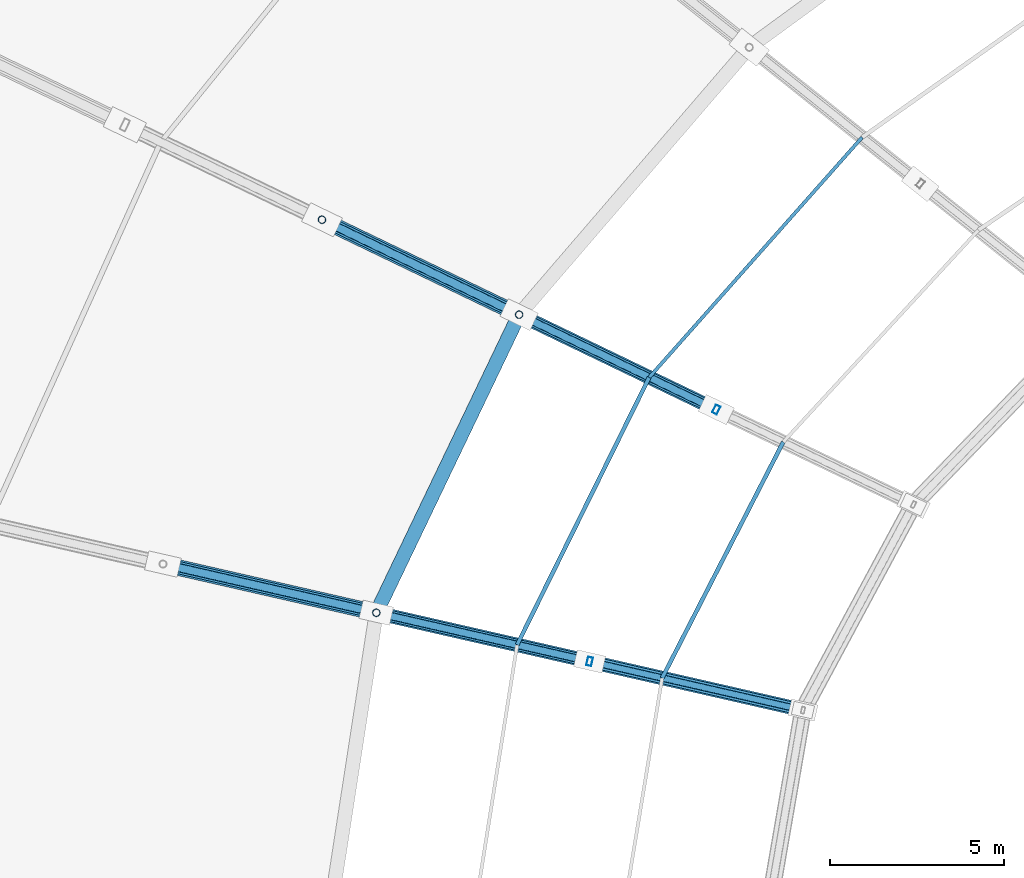
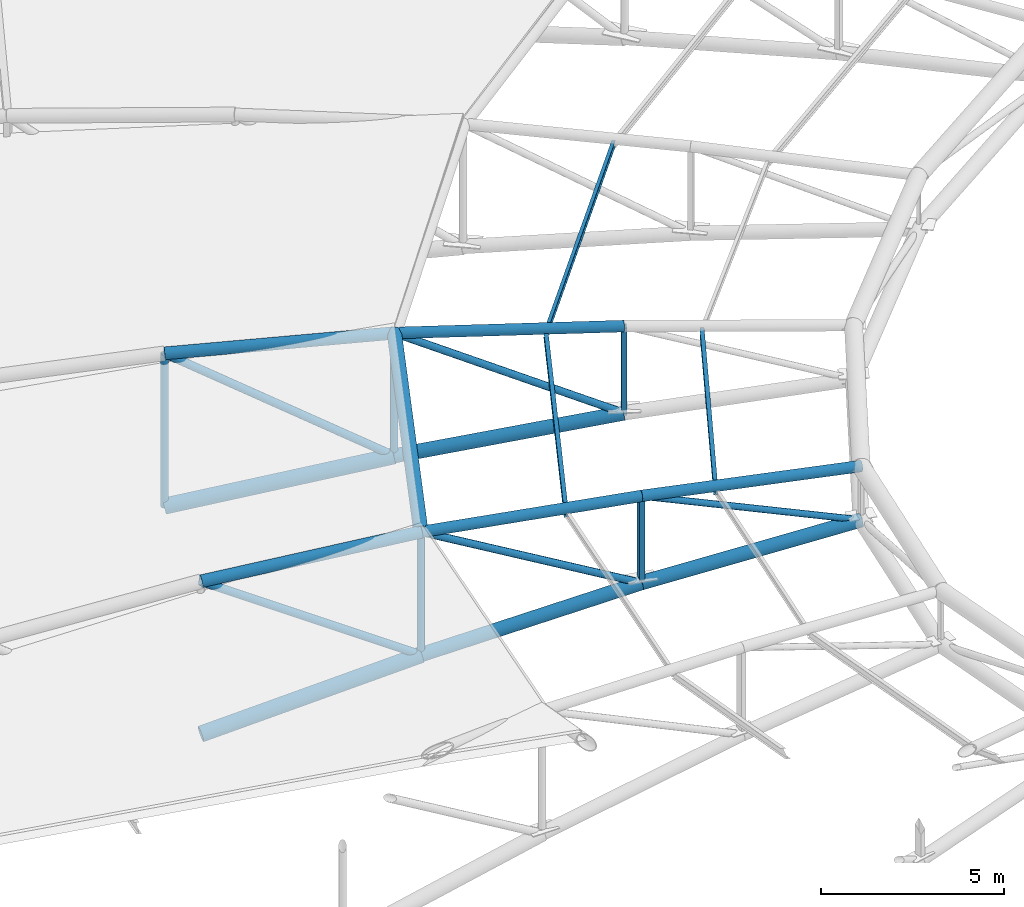
# One storey, part 35 of 108: 24 members.
"""IFC4 building model written with IfcOpenShell, lengths in metres."""

from ifc_helpers import new_model, si_unit, direction, frame, origin, origin_2d, place, context, subcontext, project, spatial, hollow_rectangle, hollow_circle, i_section, extrude, material, material_profile, profile_set, type_object, element, save


model = new_model("IFC4")

# Units and contexts
model_context = context("Model", 3, precision=1e-05, world=origin(), true_north=direction((0.0, 1.0)))
body_context = subcontext(model_context, "Body", "Model", "MODEL_VIEW")
ifc_project = project(units=[si_unit("LENGTHUNIT", "METRE"), si_unit("AREAUNIT", "SQUARE_METRE"), si_unit("VOLUMEUNIT", "CUBIC_METRE"), si_unit("PLANEANGLEUNIT", "RADIAN"), si_unit("MASSUNIT", "GRAM", prefix="KILO")], contexts=[model_context])

# Site, building, storey
site_placement = place(None, origin())
site = spatial("IfcSite", under=ifc_project, at=site_placement, CompositionType="ELEMENT")
building_placement = place(site_placement, origin())
building = spatial("IfcBuilding", under=site, at=building_placement, Name="Zevraka Park Crest Stadium", CompositionType="ELEMENT")
storey_placement = place(building_placement, frame((0.0, 0.0, 29.39990234375)))
storey = spatial("IfcBuildingStorey", under=building, at=storey_placement, Name="RF", CompositionType="ELEMENT", Elevation=29.39990234375)

# Members
ifc_material_1 = material(Name="Steel S355", Category="steel")
ifc_material_profile_1 = material_profile(ifc_material_1, i_section(OverallWidth=0.1201171875, OverallDepth=0.239990234375, WebThickness=0.006103515625, FlangeThickness=0.009765625, at=origin_2d()), Name="IPE 240")
ifc_profile_set_1 = profile_set([ifc_material_profile_1], Name="Steel S355")
member_type_1 = type_object("IfcMemberType", Name="PR01", PredefinedType="PURLIN", material=ifc_profile_set_1)
member_1_placement = place(storey_placement, frame((65.652099609375, 107.81201171875, 9.153076171875), z_axis=(-0.442797799381, -0.896621496989, 0.0), x_axis=(0.896621496989, -0.442797799381, 0.0)))
element("IfcMember", 1, at=member_1_placement, inside=storey, type_object=member_type_1, Name="Canopy Roof Purlin PR01 INNER-13-1", PredefinedType="PURLIN", context=body_context, shape_type="SweptSolid", body=[
    extrude(i_section(OverallWidth=0.1201171875, OverallDepth=0.239990234375, WebThickness=0.006103515625, FlangeThickness=0.009765625, at=origin_2d()), origin(), (0.0, 0.0, 1.0), 8.59130859375),
])
member_2_placement = place(storey_placement, frame((69.511962890625, 105.952880859375, 9.01708984375), z_axis=(-0.456571603889, -0.889686669858, 0.0), x_axis=(0.889686669858, -0.456571603889, 0.0)))
element("IfcMember", 2, at=member_2_placement, inside=storey, type_object=member_type_1, Name="Canopy Roof Purlin PR01 INNER-13-2", PredefinedType="PURLIN", context=body_context, shape_type="SweptSolid", body=[
    extrude(i_section(OverallWidth=0.1201171875, OverallDepth=0.239990234375, WebThickness=0.006103515625, FlangeThickness=0.009765625, at=origin_2d()), origin(), (0.0, 0.0, 1.0), 7.6396484375),
])
ifc_material_2 = material(Name="Steel S355", Category="steel")
ifc_material_profile_2 = material_profile(ifc_material_2, i_section(OverallWidth=0.10009765625, OverallDepth=0.199951171875, WebThickness=0.005615234375, FlangeThickness=0.008544921875, at=origin_2d()), Name="IPE 200")
ifc_profile_set_2 = profile_set([ifc_material_profile_2], Name="Steel S355")
member_type_2 = type_object("IfcMemberType", Name="PR03", PredefinedType="PURLIN", material=ifc_profile_set_2)
member_3_placement = place(storey_placement, frame((71.781005859375, 114.721923828125, 9.173095703125), z_axis=(-0.663562824721, -0.748120563578, 0.0), x_axis=(0.748120563578, -0.663562824721, 0.0)))
element("IfcMember", 3, at=member_3_placement, inside=storey, type_object=member_type_2, Name="Canopy Roof Purlin PR03 INNER-12-1", PredefinedType="PURLIN", context=body_context, shape_type="SweptSolid", body=[
    extrude(i_section(OverallWidth=0.10009765625, OverallDepth=0.199951171875, WebThickness=0.005615234375, FlangeThickness=0.008544921875, at=origin_2d()), origin(), (0.0, 0.0, 1.0), 9.236328125),
])
ifc_material_3 = material(Name="Steel S355", Category="steel")
ifc_material_profile_3 = material_profile(ifc_material_3, hollow_circle(Radius=0.228515625, WallThickness=0.02490234375, at=origin_2d()), Name="CHS 457.0x25")
ifc_profile_set_3 = profile_set([ifc_material_profile_3], Name="Steel S355")
member_type_3 = type_object("IfcMemberType", Name="TC02", PredefinedType="CHORD", material=ifc_profile_set_3)
for number, where, z_axis, x_axis, name in (
    (4, (56.22998046875, 112.34912109375, 3.9501953125), (0.880989175528, -0.424219270508, 0.209513921093), (0.433848244141, 0.900985960521, 0.0), "Roof Truss Bottom Chord TC02 T13-5"),
    (5, (51.652099609375, 102.43603515625, 3.9501953125), (0.953281562703, -0.217621179576, 0.209512014954), (0.222560675043, 0.974918840686, 0.0), "Roof Truss Bottom Chord TC02 T14-5"),
):
    element("IfcMember", number, at=place(storey_placement, frame(where, z_axis=z_axis, x_axis=x_axis)), inside=storey, type_object=member_type_3, Name=name, PredefinedType="CHORD", context=body_context, shape_type="SweptSolid", body=[
        extrude(hollow_circle(Radius=0.228515625, WallThickness=0.02490234375, at=origin_2d()), origin(), (0.0, 0.0, 1.0), 6.44287109375),
    ])
ifc_material_4 = material(Name="Steel S355", Category="steel")
ifc_material_profile_4 = material_profile(ifc_material_4, hollow_circle(Radius=0.203125, WallThickness=0.02001953125, at=origin_2d()), Name="CHS 406.4x20")
ifc_profile_set_4 = profile_set([ifc_material_profile_4], Name="Steel S355")
member_type_4 = type_object("IfcMemberType", Name="TC03", PredefinedType="CHORD", material=ifc_profile_set_4)
member_4_placement = place(storey_placement, frame((61.906005859375, 109.615966796875, 5.300048828125), z_axis=(0.887511721766, -0.427474569243, 0.172012895964), x_axis=(0.433942615061, 0.900940512373, 0.0)))
element("IfcMember", 6, at=member_4_placement, inside=storey, type_object=member_type_4, Name="Roof Truss Bottom Chord TC03 T13-6", PredefinedType="CHORD", context=body_context, shape_type="SweptSolid", body=[
    extrude(hollow_circle(Radius=0.203125, WallThickness=0.02001953125, at=origin_2d()), origin(), (0.0, 0.0, 1.0), 6.3955078125),
])
member_5_placement = place(storey_placement, frame((57.7939453125, 101.033935546875, 5.300048828125), z_axis=(0.960397219196, -0.219198697536, 0.172014860867), x_axis=(0.222515433667, 0.974929167571, 0.0)))
element("IfcMember", 7, at=member_5_placement, inside=storey, type_object=member_type_4, Name="Roof Truss Bottom Chord TC03 T14-6", PredefinedType="CHORD", context=body_context, shape_type="SweptSolid", body=[
    extrude(hollow_circle(Radius=0.203125, WallThickness=0.02001953125, at=origin_2d()), origin(), (0.0, 0.0, 1.0), 6.395263671875),
])
member_6_placement = place(storey_placement, frame((63.93603515625, 99.632080078125, 6.400146484375), z_axis=(0.967183906339, -0.22064111136, 0.12598726641), x_axis=(0.222413332215, 0.97495246533, 0.0)))
element("IfcMember", 8, at=member_6_placement, inside=storey, type_object=member_type_4, Name="Roof Truss Bottom Chord TC03 T14-7", PredefinedType="CHORD", context=body_context, shape_type="SweptSolid", body=[
    extrude(hollow_circle(Radius=0.203125, WallThickness=0.02001953125, at=origin_2d()), origin(), (0.0, 0.0, 1.0), 6.350341796875),
])
member_7_placement = place(storey_placement, frame((61.906005859375, 109.615966796875, 9.400146484375), z_axis=(-0.432106270743, -0.901822693651, 0.0), x_axis=(0.901822693651, -0.432106270743, 0.0)))
element("IfcMember", 9, at=member_7_placement, inside=storey, type_object=member_type_4, Name="Roof Canopy Arch Crown Ring Chord TC03 13", PredefinedType="CHORD", context=body_context, shape_type="SweptSolid", body=[
    extrude(hollow_circle(Radius=0.203125, WallThickness=0.02001953125, at=origin_2d()), origin(), (0.0, 0.0, 1.0), 9.516357421875),
])
ifc_material_5 = material(Name="Steel S355", Category="steel")
ifc_material_profile_5 = material_profile(ifc_material_5, hollow_circle(Radius=0.161865234375, WallThickness=0.01611328125, at=origin_2d()), Name="CHS 323.9x16")
ifc_profile_set_5 = profile_set([ifc_material_profile_5], Name="Steel S355")
member_type_5 = type_object("IfcMemberType", Name="TC04", PredefinedType="CHORD", material=ifc_profile_set_5)
member_8_placement = place(storey_placement, frame((61.906005859375, 109.615966796875, 9.400146484375), z_axis=(0.900826818961, -0.433887854047, -0.015886231484), x_axis=(0.433942615061, 0.900940512373, 0.0)))
element("IfcMember", 10, at=member_8_placement, inside=storey, type_object=member_type_5, Name="Roof Truss Top Chord TC04 T13-6", PredefinedType="CHORD", context=body_context, shape_type="SweptSolid", body=[
    extrude(hollow_circle(Radius=0.161865234375, WallThickness=0.01611328125, at=origin_2d()), origin(), (0.0, 0.0, 1.0), 6.301025390625),
])
member_9_placement = place(storey_placement, frame((57.7939453125, 101.033935546875, 9.400146484375), z_axis=(0.974806134329, -0.222487352863, -0.015886418438), x_axis=(0.222515433667, 0.974929167571, 0.0)))
element("IfcMember", 11, at=member_9_placement, inside=storey, type_object=member_type_5, Name="Roof Truss Top Chord TC04 T14-6", PredefinedType="CHORD", context=body_context, shape_type="SweptSolid", body=[
    extrude(hollow_circle(Radius=0.161865234375, WallThickness=0.01611328125, at=origin_2d()), origin(), (0.0, 0.0, 1.0), 6.30078125),
])
member_10_placement = place(storey_placement, frame((63.93603515625, 99.632080078125, 9.300048828125), z_axis=(0.973848467445, -0.222161480092, -0.047575615792), x_axis=(0.222413332215, 0.97495246533, 0.0)))
element("IfcMember", 12, at=member_10_placement, inside=storey, type_object=member_type_5, Name="Roof Truss Top Chord TC04 T14-7", PredefinedType="CHORD", context=body_context, shape_type="SweptSolid", body=[
    extrude(hollow_circle(Radius=0.161865234375, WallThickness=0.01611328125, at=origin_2d()), origin(), (0.0, 0.0, 1.0), 6.306884765625),
])
ifc_material_6 = material(Name="Steel S355", Category="steel")
ifc_material_profile_6 = material_profile(ifc_material_6, hollow_circle(Radius=0.177734375, WallThickness=0.01611328125, at=origin_2d()), Name="CHS 355.6x16")
ifc_profile_set_6 = profile_set([ifc_material_profile_6], Name="Steel S355")
member_type_6 = type_object("IfcMemberType", Name="TC05", PredefinedType="CHORD", material=ifc_profile_set_6)
for number, where, z_axis, x_axis, name in (
    (13, (56.22998046875, 112.34912109375, 9.050048828125), (0.899597897112, -0.433179855399, 0.0554872633), (0.433848244141, 0.900985960521, 0.0), "Roof Truss Top Chord TC05 T13-5"),
    (14, (51.652099609375, 102.43603515625, 9.050048828125), (0.973416904436, -0.222217803481, 0.05548673693), (0.222560675043, 0.974918840686, 0.0), "Roof Truss Top Chord TC05 T14-5"),
):
    element("IfcMember", number, at=place(storey_placement, frame(where, z_axis=z_axis, x_axis=x_axis)), inside=storey, type_object=member_type_6, Name=name, PredefinedType="CHORD", context=body_context, shape_type="SweptSolid", body=[
        extrude(hollow_circle(Radius=0.177734375, WallThickness=0.01611328125, at=origin_2d()), origin(), (0.0, 0.0, 1.0), 6.3095703125),
    ])
ifc_material_7 = material(Name="Steel S355", Category="steel")
ifc_material_profile_7 = material_profile(ifc_material_7, hollow_circle(Radius=0.109619140625, WallThickness=0.010009765625, at=origin_2d()), Name="CHS 219.1x10")
ifc_profile_set_7 = profile_set([ifc_material_profile_7], Name="Steel S355")
member_type_7 = type_object("IfcMemberType", Name="WB02", PredefinedType="BRACE", material=ifc_profile_set_7)
member_11_placement = place(storey_placement, frame((56.22998046875, 112.34912109375, 3.9501953125), z_axis=(0.0, 0.0, 1.0), x_axis=(-0.90100131981, 0.43381634559, 0.0)))
element("IfcMember", 15, at=member_11_placement, inside=storey, type_object=member_type_7, Name="Roof Truss Web Post WB02 T13-4", PredefinedType="BRACE", context=body_context, shape_type="SweptSolid", body=[
    extrude(hollow_circle(Radius=0.109619140625, WallThickness=0.010009765625, at=origin_2d()), origin(), (0.0, 0.0, 1.0), 5.099853515625),
])
member_12_placement = place(storey_placement, frame((61.906005859375, 109.615966796875, 5.300048828125), z_axis=(0.0, 0.0, 1.0), x_axis=(-0.90100131981, 0.43381634559, 0.0)))
element("IfcMember", 16, at=member_12_placement, inside=storey, type_object=member_type_7, Name="Roof Truss Web Post WB02 T13-5", PredefinedType="BRACE", context=body_context, shape_type="SweptSolid", body=[
    extrude(hollow_circle(Radius=0.109619140625, WallThickness=0.010009765625, at=origin_2d()), origin(), (0.0, 0.0, 1.0), 4.10009765625),
])
member_13_placement = place(storey_placement, frame((67.58203125, 106.882080078125, 6.400146484375), z_axis=(-0.813426271688, 0.391790932529, 0.429927395866), x_axis=(-0.433942615061, -0.900940512373, 0.0)))
element("IfcMember", 17, at=member_13_placement, inside=storey, type_object=member_type_7, Name="Roof Truss Web Diagonal WB02 T13-6", PredefinedType="BRACE", context=body_context, shape_type="SweptSolid", body=[
    extrude(hollow_circle(Radius=0.109619140625, WallThickness=0.010009765625, at=origin_2d()), origin(), (0.0, 0.0, 1.0), 6.97802734375),
])
member_14_placement = place(storey_placement, frame((57.7939453125, 101.033935546875, 5.300048828125), z_axis=(0.0, 0.0, 1.0), x_axis=(-0.974916814618, 0.222569549971, 0.0)))
element("IfcMember", 18, at=member_14_placement, inside=storey, type_object=member_type_7, Name="Roof Truss Web Post WB02 T14-5", PredefinedType="BRACE", context=body_context, shape_type="SweptSolid", body=[
    extrude(hollow_circle(Radius=0.109619140625, WallThickness=0.010009765625, at=origin_2d()), origin(), (0.0, 0.0, 1.0), 4.10009765625),
])
member_15_placement = place(storey_placement, frame((63.93603515625, 99.632080078125, 6.400146484375), z_axis=(-0.880226010017, 0.200900618074, 0.429931521229), x_axis=(-0.222515433667, -0.974929167571, 0.0)))
element("IfcMember", 19, at=member_15_placement, inside=storey, type_object=member_type_7, Name="Roof Truss Web Diagonal WB02 T14-6", PredefinedType="BRACE", context=body_context, shape_type="SweptSolid", body=[
    extrude(hollow_circle(Radius=0.109619140625, WallThickness=0.010009765625, at=origin_2d()), origin(), (0.0, 0.0, 1.0), 6.977783203125),
])
ifc_material_8 = material(Name="Steel S355", Category="steel")
ifc_material_profile_8 = material_profile(ifc_material_8, hollow_rectangle(XDim=0.14990234375, YDim=0.25, WallThickness=0.010009765625, at=origin_2d()), Name="RHS 250x150x10")
ifc_profile_set_8 = profile_set([ifc_material_profile_8], Name="Steel S355")
member_type_8 = type_object("IfcMemberType", Name="WB04", PredefinedType="BRACE", material=ifc_profile_set_8)
for number, where, z_axis, x_axis, name in (
    (20, (67.58203125, 106.882080078125, 6.400146484375), (0.0, 0.0, 1.0), (-0.90100131981, 0.43381634559, 0.0), "Roof Truss Web Post WB04 T13-6"),
    (21, (63.93603515625, 99.632080078125, 6.400146484375), (0.0, 0.0, 1.0), (-0.974916814618, 0.222569549971, 0.0), "Roof Truss Web Post WB04 T14-6"),
):
    element("IfcMember", number, at=place(storey_placement, frame(where, z_axis=z_axis, x_axis=x_axis)), inside=storey, type_object=member_type_8, Name=name, PredefinedType="BRACE", context=body_context, shape_type="SweptSolid", body=[
        extrude(hollow_rectangle(XDim=0.14990234375, YDim=0.25, WallThickness=0.010009765625, at=origin_2d()), origin(), (0.0, 0.0, 1.0), 2.89990234375),
    ])
ifc_material_9 = material(Name="Steel S355", Category="steel")
ifc_material_profile_9 = material_profile(ifc_material_9, hollow_circle(Radius=0.122314453125, WallThickness=0.012451171875, at=origin_2d()), Name="CHS 244.5x12.5")
ifc_profile_set_9 = profile_set([ifc_material_profile_9], Name="Steel S355")
member_type_9 = type_object("IfcMemberType", Name="WB07", PredefinedType="BRACE", material=ifc_profile_set_9)
for number, where, z_axis, x_axis, name in (
    (22, (61.906005859375, 109.615966796875, 5.300048828125), (-0.774204181768, 0.372799510297, 0.511496246374), (-0.433848244141, -0.900985960521, 0.0), "Roof Truss Web Diagonal WB07 T13-5"),
    (23, (57.7939453125, 101.033935546875, 5.300048828125), (-0.837735720083, 0.191243639561, 0.511492652561), (-0.222560675043, -0.974918840686, 0.0), "Roof Truss Web Diagonal WB07 T14-5"),
):
    element("IfcMember", number, at=place(storey_placement, frame(where, z_axis=z_axis, x_axis=x_axis)), inside=storey, type_object=member_type_9, Name=name, PredefinedType="BRACE", context=body_context, shape_type="SweptSolid", body=[
        extrude(hollow_circle(Radius=0.122314453125, WallThickness=0.012451171875, at=origin_2d()), origin(), (0.0, 0.0, 1.0), 7.33154296875),
    ])
ifc_material_10 = material(Name="Steel S355", Category="steel")
ifc_material_profile_10 = material_profile(ifc_material_10, hollow_circle(Radius=0.096923828125, WallThickness=0.010009765625, at=origin_2d()), Name="CHS 193.7x10")
ifc_profile_set_10 = profile_set([ifc_material_profile_10], Name="Steel S355")
member_type_10 = type_object("IfcMemberType", Name="WB08", PredefinedType="BRACE", material=ifc_profile_set_10)
member_16_placement = place(storey_placement, frame((70.077880859375, 98.23095703125, 7.2001953125), z_axis=(-0.924922228877, 0.211000066444, 0.316224354675), x_axis=(-0.222413332215, -0.97495246533, 0.0)))
element("IfcMember", 24, at=member_16_placement, inside=storey, type_object=member_type_10, Name="Roof Truss Web Diagonal WB08 T14-7", PredefinedType="BRACE", context=body_context, shape_type="SweptSolid", body=[
    extrude(hollow_circle(Radius=0.096923828125, WallThickness=0.010009765625, at=origin_2d()), origin(), (0.0, 0.0, 1.0), 6.640380859375),
])

save(model, "model.ifc")
